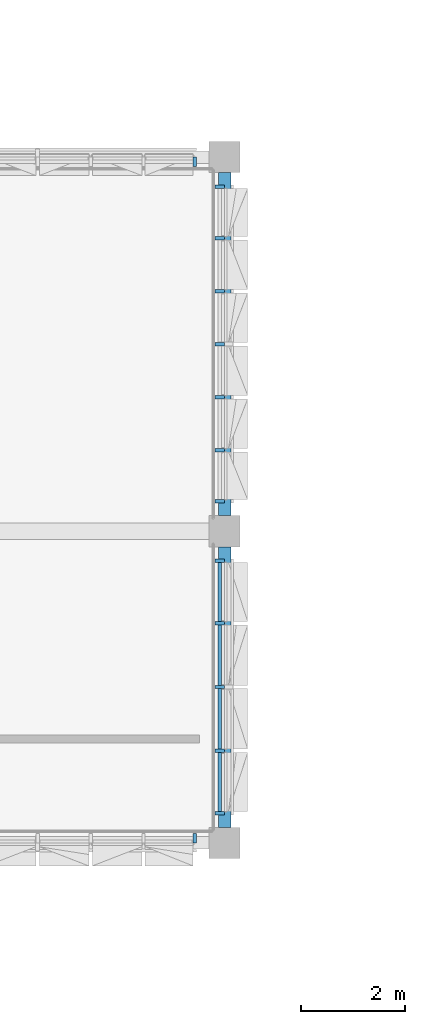
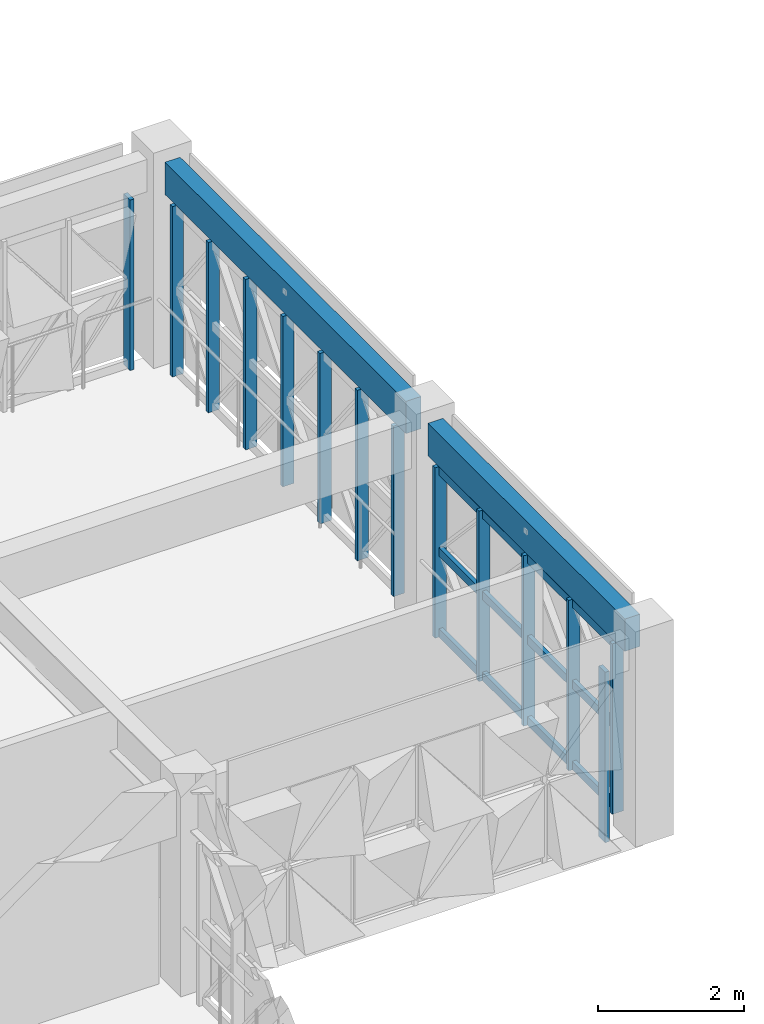
# One storey, part 16 of 85: 26 members, 2 beams, 4 elements without a shape of their own.
"""IFC4 building model written with IfcOpenShell, lengths in metres."""

from ifc_helpers import new_model, si_unit, direction, frame, origin, origin_2d, place, context, subcontext, project, spatial, rectangle, extrude, material, material_profile, profile_set, type_object, element, aggregate, save


model = new_model("IFC4")

# Units and contexts
model_context = context("Model", 3, precision=1e-05, world=origin(), true_north=direction((0.0, 1.0)))
body_context = subcontext(model_context, "Body", "Model", "MODEL_VIEW")
ifc_project = project(units=[si_unit("LENGTHUNIT", "METRE"), si_unit("AREAUNIT", "SQUARE_METRE"), si_unit("VOLUMEUNIT", "CUBIC_METRE"), si_unit("PLANEANGLEUNIT", "RADIAN"), si_unit("MASSUNIT", "GRAM", prefix="KILO")], contexts=[model_context])

# Site, building, storey
site_placement = place(None, origin())
site = spatial("IfcSite", under=ifc_project, at=site_placement, CompositionType="ELEMENT")
building_placement = place(site_placement, origin())
building = spatial("IfcBuilding", under=site, at=building_placement, Name="Alvorim Cloister Faculty of Sciences", CompositionType="ELEMENT")
storey_placement = place(building_placement, frame((0.0, 0.0, 8.550048828125)))
storey = spatial("IfcBuildingStorey", under=building, at=storey_placement, Name="L02", CompositionType="ELEMENT", Elevation=8.550048828125)

# Beams
ifc_material_1 = material(Name="Glulam GL28h", Category="wood")
ifc_material_profile_1 = material_profile(ifc_material_1, rectangle(XDim=0.239990234375, YDim=0.5400390625, at=origin_2d()), Name="GL28-SPD-240x540")
ifc_profile_set_1 = profile_set([ifc_material_profile_1], Name="Glulam GL28h")
beam_type = type_object("IfcBeamType", Name="BM-SPD-GL-240x540", PredefinedType="SPANDREL", material=ifc_profile_set_1)
beam_1_placement = place(storey_placement, frame((64.800048828125, 43.5, 3.119873046875), z_axis=(0.0, 1.0, 0.0), x_axis=(-1.0, 0.0, 0.0)))
element("IfcBeam", 1, at=beam_1_placement, inside=storey, type_object=beam_type, Name="L02 Primary Girder BM-1423", PredefinedType="SPANDREL", context=body_context, shape_type="SweptSolid", body=[
    extrude(rectangle(XDim=0.239990234375, YDim=0.5400390625, at=origin_2d()), origin(), (0.0, 0.0, 1.0), 5.39990234375),
])
beam_2_placement = place(storey_placement, frame((64.800048828125, 49.5, 3.119873046875), z_axis=(0.0, 1.0, 0.0), x_axis=(-1.0, 0.0, 0.0)))
element("IfcBeam", 2, at=beam_2_placement, inside=storey, type_object=beam_type, Name="L02 Primary Girder BM-1424", PredefinedType="SPANDREL", context=body_context, shape_type="SweptSolid", body=[
    extrude(rectangle(XDim=0.239990234375, YDim=0.5400390625, at=origin_2d()), origin(), (0.0, 0.0, 1.0), 6.60009765625),
])

# Curtain wall, member
ifc_material_2 = material(Name="Aluminium and Low-E Glass Curtain Wall", Category="aluminium")
curtain_wall_type_1 = type_object("IfcCurtainWallType", Name="CW-TRI-6120x2850", PredefinedType="USERDEFINED", material=ifc_material_2)
curtain_wall_1_placement = place(storey_placement, origin())
curtain_wall_1 = element("IfcCurtainWall", 3, at=curtain_wall_1_placement, inside=storey, type_object=curtain_wall_type_1, Name="L02 Diagonal Cassette Curtain Wall CW-0060", ObjectType="UNITISED CURTAIN WALL", PredefinedType="USERDEFINED")
ifc_material_3 = material(Name="Aluminium Alloy 6063-T6", Category="aluminium")
ifc_material_profile_2 = material_profile(ifc_material_3, rectangle(XDim=0.06494140625, YDim=0.179931640625, at=origin_2d()), Name="ALU-MUL-65x180")
ifc_profile_set_2 = profile_set([ifc_material_profile_2], Name="Aluminium Alloy 6063-T6")
member_type_1 = type_object("IfcMemberType", Name="CW-MUL-65x180", PredefinedType="MULLION", material=ifc_profile_set_2)
member_1_placement = place(storey_placement, frame((64.2275390625, 56.31005859375, 0.0), z_axis=(0.0, 0.0, 1.0), x_axis=(1.0, 0.0, 0.0)))
member_1 = element("IfcMember", 4, at=member_1_placement, type_object=member_type_1, Name="CW-0060 Mullion 7", PredefinedType="MULLION", context=body_context, shape_type="SweptSolid", body=[
    extrude(rectangle(XDim=0.06494140625, YDim=0.179931640625, at=origin_2d()), origin(), (0.0, 0.0, 1.0), 2.849853515625),
])
aggregate(curtain_wall_1, [member_1])

# Curtain wall, members
curtain_wall_2_placement = place(storey_placement, origin())
curtain_wall_2 = element("IfcCurtainWall", 5, at=curtain_wall_2_placement, inside=storey, type_object=curtain_wall_type_1, Name="L02 Diagonal Cassette Curtain Wall CW-0061", ObjectType="UNITISED CURTAIN WALL", PredefinedType="USERDEFINED")
member_2_placement = place(storey_placement, frame((64.7099609375, 49.7724609375, 0.0), z_axis=(0.0, 0.0, 1.0), x_axis=(0.0, 1.0, 0.0)))
member_2 = element("IfcMember", 6, at=member_2_placement, type_object=member_type_1, Name="CW-0061 Mullion 1", PredefinedType="MULLION", context=body_context, shape_type="SweptSolid", body=[
    extrude(rectangle(XDim=0.06494140625, YDim=0.179931640625, at=origin_2d()), origin(), (0.0, 0.0, 1.0), 2.849853515625),
])
member_3_placement = place(storey_placement, frame((64.7099609375, 50.760009765625, 0.0), z_axis=(0.0, 0.0, 1.0), x_axis=(0.0, 1.0, 0.0)))
member_3 = element("IfcMember", 7, at=member_3_placement, type_object=member_type_1, Name="CW-0061 Mullion 2", PredefinedType="MULLION", context=body_context, shape_type="SweptSolid", body=[
    extrude(rectangle(XDim=0.06494140625, YDim=0.179931640625, at=origin_2d()), origin(), (0.0, 0.0, 1.0), 2.849853515625),
])
member_4_placement = place(storey_placement, frame((64.7099609375, 51.780029296875, 0.0), z_axis=(0.0, 0.0, 1.0), x_axis=(0.0, 1.0, 0.0)))
member_4 = element("IfcMember", 8, at=member_4_placement, type_object=member_type_1, Name="CW-0061 Mullion 3", PredefinedType="MULLION", context=body_context, shape_type="SweptSolid", body=[
    extrude(rectangle(XDim=0.06494140625, YDim=0.179931640625, at=origin_2d()), origin(), (0.0, 0.0, 1.0), 2.849853515625),
])
member_5_placement = place(storey_placement, frame((64.7099609375, 52.800048828125, 0.0), z_axis=(0.0, 0.0, 1.0), x_axis=(0.0, 1.0, 0.0)))
member_5 = element("IfcMember", 9, at=member_5_placement, type_object=member_type_1, Name="CW-0061 Mullion 4", PredefinedType="MULLION", context=body_context, shape_type="SweptSolid", body=[
    extrude(rectangle(XDim=0.06494140625, YDim=0.179931640625, at=origin_2d()), origin(), (0.0, 0.0, 1.0), 2.849853515625),
])
member_6_placement = place(storey_placement, frame((64.7099609375, 53.820068359375, 0.0), z_axis=(0.0, 0.0, 1.0), x_axis=(0.0, 1.0, 0.0)))
member_6 = element("IfcMember", 10, at=member_6_placement, type_object=member_type_1, Name="CW-0061 Mullion 5", PredefinedType="MULLION", context=body_context, shape_type="SweptSolid", body=[
    extrude(rectangle(XDim=0.06494140625, YDim=0.179931640625, at=origin_2d()), origin(), (0.0, 0.0, 1.0), 2.849853515625),
])
member_7_placement = place(storey_placement, frame((64.7099609375, 54.840087890625, 0.0), z_axis=(0.0, 0.0, 1.0), x_axis=(0.0, 1.0, 0.0)))
member_7 = element("IfcMember", 11, at=member_7_placement, type_object=member_type_1, Name="CW-0061 Mullion 6", PredefinedType="MULLION", context=body_context, shape_type="SweptSolid", body=[
    extrude(rectangle(XDim=0.06494140625, YDim=0.179931640625, at=origin_2d()), origin(), (0.0, 0.0, 1.0), 2.849853515625),
])
member_8_placement = place(storey_placement, frame((64.7099609375, 55.827392578125, 0.0), z_axis=(0.0, 0.0, 1.0), x_axis=(0.0, 1.0, 0.0)))
member_8 = element("IfcMember", 12, at=member_8_placement, type_object=member_type_1, Name="CW-0061 Mullion 7", PredefinedType="MULLION", context=body_context, shape_type="SweptSolid", body=[
    extrude(rectangle(XDim=0.06494140625, YDim=0.179931640625, at=origin_2d()), origin(), (0.0, 0.0, 1.0), 2.849853515625),
])
aggregate(curtain_wall_2, [member_2, member_3, member_4, member_5, member_6, member_7, member_8])

curtain_wall_type_2 = type_object("IfcCurtainWallType", Name="CW-TRI-4920x2850", PredefinedType="USERDEFINED", material=ifc_material_2)
curtain_wall_3_placement = place(storey_placement, origin())
curtain_wall_3 = element("IfcCurtainWall", 13, at=curtain_wall_3_placement, inside=storey, type_object=curtain_wall_type_2, Name="L02 Diagonal Cassette Curtain Wall CW-0062", ObjectType="UNITISED CURTAIN WALL", PredefinedType="USERDEFINED")
member_9_placement = place(storey_placement, frame((64.7099609375, 43.7724609375, 0.0), z_axis=(0.0, 0.0, 1.0), x_axis=(0.0, 1.0, 0.0)))
member_9 = element("IfcMember", 14, at=member_9_placement, type_object=member_type_1, Name="CW-0062 Mullion 1", PredefinedType="MULLION", context=body_context, shape_type="SweptSolid", body=[
    extrude(rectangle(XDim=0.06494140625, YDim=0.179931640625, at=origin_2d()), origin(), (0.0, 0.0, 1.0), 2.849853515625),
])
member_10_placement = place(storey_placement, frame((64.7099609375, 44.969970703125, 0.0), z_axis=(0.0, 0.0, 1.0), x_axis=(0.0, 1.0, 0.0)))
member_10 = element("IfcMember", 15, at=member_10_placement, type_object=member_type_1, Name="CW-0062 Mullion 2", PredefinedType="MULLION", context=body_context, shape_type="SweptSolid", body=[
    extrude(rectangle(XDim=0.06494140625, YDim=0.179931640625, at=origin_2d()), origin(), (0.0, 0.0, 1.0), 2.849853515625),
])
member_11_placement = place(storey_placement, frame((64.7099609375, 46.199951171875, 0.0), z_axis=(0.0, 0.0, 1.0), x_axis=(0.0, 1.0, 0.0)))
member_11 = element("IfcMember", 16, at=member_11_placement, type_object=member_type_1, Name="CW-0062 Mullion 3", PredefinedType="MULLION", context=body_context, shape_type="SweptSolid", body=[
    extrude(rectangle(XDim=0.06494140625, YDim=0.179931640625, at=origin_2d()), origin(), (0.0, 0.0, 1.0), 2.849853515625),
])
member_12_placement = place(storey_placement, frame((64.7099609375, 47.429931640625, 0.0), z_axis=(0.0, 0.0, 1.0), x_axis=(0.0, 1.0, 0.0)))
member_12 = element("IfcMember", 17, at=member_12_placement, type_object=member_type_1, Name="CW-0062 Mullion 4", PredefinedType="MULLION", context=body_context, shape_type="SweptSolid", body=[
    extrude(rectangle(XDim=0.06494140625, YDim=0.179931640625, at=origin_2d()), origin(), (0.0, 0.0, 1.0), 2.849853515625),
])
member_13_placement = place(storey_placement, frame((64.7099609375, 48.62744140625, 0.0), z_axis=(0.0, 0.0, 1.0), x_axis=(0.0, 1.0, 0.0)))
member_13 = element("IfcMember", 18, at=member_13_placement, type_object=member_type_1, Name="CW-0062 Mullion 5", PredefinedType="MULLION", context=body_context, shape_type="SweptSolid", body=[
    extrude(rectangle(XDim=0.06494140625, YDim=0.179931640625, at=origin_2d()), origin(), (0.0, 0.0, 1.0), 2.849853515625),
])

# Curtain wall, member
curtain_wall_4_placement = place(storey_placement, origin())
curtain_wall_4 = element("IfcCurtainWall", 19, at=curtain_wall_4_placement, inside=storey, type_object=curtain_wall_type_1, Name="L02 Diagonal Cassette Curtain Wall CW-0063", ObjectType="UNITISED CURTAIN WALL", PredefinedType="USERDEFINED")
member_14_placement = place(storey_placement, frame((64.2275390625, 43.2900390625, 0.0), z_axis=(0.0, 0.0, 1.0), x_axis=(1.0, 0.0, 0.0)))
member_14 = element("IfcMember", 20, at=member_14_placement, type_object=member_type_1, Name="CW-0063 Mullion 7", PredefinedType="MULLION", context=body_context, shape_type="SweptSolid", body=[
    extrude(rectangle(XDim=0.06494140625, YDim=0.179931640625, at=origin_2d()), origin(), (0.0, 0.0, 1.0), 2.849853515625),
])
aggregate(curtain_wall_4, [member_14])

# Member
ifc_material_profile_3 = material_profile(ifc_material_3, rectangle(XDim=0.06494140625, YDim=0.139892578125, at=origin_2d()), Name="ALU-TRN-65x140")
ifc_profile_set_3 = profile_set([ifc_material_profile_3], Name="Aluminium Alloy 6063-T6")
member_type_2 = type_object("IfcMemberType", Name="CW-TRN-65x140", PredefinedType="USERDEFINED", material=ifc_profile_set_3)
member_15_placement = place(storey_placement, frame((64.7099609375, 43.804931640625, 0.070068359375), z_axis=(0.0, 1.0, 0.0), x_axis=(-1.0, 0.0, 0.0)))
member_15 = element("IfcMember", 21, at=member_15_placement, type_object=member_type_2, Name="CW-0062 Transom 1.1", ObjectType="TRANSOM", PredefinedType="USERDEFINED", context=body_context, shape_type="SweptSolid", body=[
    extrude(rectangle(XDim=0.06494140625, YDim=0.139892578125, at=origin_2d()), origin(), (0.0, 0.0, 1.0), 1.132568359375),
])

member_16_placement = place(storey_placement, frame((64.7099609375, 43.804931640625, 1.425048828125), z_axis=(0.0, 1.0, 0.0), x_axis=(-1.0, 0.0, 0.0)))
member_16 = element("IfcMember", 22, at=member_16_placement, type_object=member_type_2, Name="CW-0062 Transom 1.2", ObjectType="TRANSOM", PredefinedType="USERDEFINED", context=body_context, shape_type="SweptSolid", body=[
    extrude(rectangle(XDim=0.06494140625, YDim=0.139892578125, at=origin_2d()), origin(), (0.0, 0.0, 1.0), 1.132568359375),
])

member_17_placement = place(storey_placement, frame((64.7099609375, 43.804931640625, 2.780029296875), z_axis=(0.0, 1.0, 0.0), x_axis=(-1.0, 0.0, 0.0)))
member_17 = element("IfcMember", 23, at=member_17_placement, type_object=member_type_2, Name="CW-0062 Transom 1.3", ObjectType="TRANSOM", PredefinedType="USERDEFINED", context=body_context, shape_type="SweptSolid", body=[
    extrude(rectangle(XDim=0.06494140625, YDim=0.139892578125, at=origin_2d()), origin(), (0.0, 0.0, 1.0), 1.132568359375),
])

member_18_placement = place(storey_placement, frame((64.7099609375, 45.00244140625, 0.070068359375), z_axis=(0.0, 1.0, 0.0), x_axis=(-1.0, 0.0, 0.0)))
member_18 = element("IfcMember", 24, at=member_18_placement, type_object=member_type_2, Name="CW-0062 Transom 2.1", ObjectType="TRANSOM", PredefinedType="USERDEFINED", context=body_context, shape_type="SweptSolid", body=[
    extrude(rectangle(XDim=0.06494140625, YDim=0.139892578125, at=origin_2d()), origin(), (0.0, 0.0, 1.0), 1.1650390625),
])

member_19_placement = place(storey_placement, frame((64.7099609375, 45.00244140625, 1.425048828125), z_axis=(0.0, 1.0, 0.0), x_axis=(-1.0, 0.0, 0.0)))
member_19 = element("IfcMember", 25, at=member_19_placement, type_object=member_type_2, Name="CW-0062 Transom 2.2", ObjectType="TRANSOM", PredefinedType="USERDEFINED", context=body_context, shape_type="SweptSolid", body=[
    extrude(rectangle(XDim=0.06494140625, YDim=0.139892578125, at=origin_2d()), origin(), (0.0, 0.0, 1.0), 1.1650390625),
])

member_20_placement = place(storey_placement, frame((64.7099609375, 45.00244140625, 2.780029296875), z_axis=(0.0, 1.0, 0.0), x_axis=(-1.0, 0.0, 0.0)))
member_20 = element("IfcMember", 26, at=member_20_placement, type_object=member_type_2, Name="CW-0062 Transom 2.3", ObjectType="TRANSOM", PredefinedType="USERDEFINED", context=body_context, shape_type="SweptSolid", body=[
    extrude(rectangle(XDim=0.06494140625, YDim=0.139892578125, at=origin_2d()), origin(), (0.0, 0.0, 1.0), 1.1650390625),
])

member_21_placement = place(storey_placement, frame((64.7099609375, 46.232421875, 0.070068359375), z_axis=(0.0, 1.0, 0.0), x_axis=(-1.0, 0.0, 0.0)))
member_21 = element("IfcMember", 27, at=member_21_placement, type_object=member_type_2, Name="CW-0062 Transom 3.1", ObjectType="TRANSOM", PredefinedType="USERDEFINED", context=body_context, shape_type="SweptSolid", body=[
    extrude(rectangle(XDim=0.06494140625, YDim=0.139892578125, at=origin_2d()), origin(), (0.0, 0.0, 1.0), 1.1650390625),
])

member_22_placement = place(storey_placement, frame((64.7099609375, 46.232421875, 1.425048828125), z_axis=(0.0, 1.0, 0.0), x_axis=(-1.0, 0.0, 0.0)))
member_22 = element("IfcMember", 28, at=member_22_placement, type_object=member_type_2, Name="CW-0062 Transom 3.2", ObjectType="TRANSOM", PredefinedType="USERDEFINED", context=body_context, shape_type="SweptSolid", body=[
    extrude(rectangle(XDim=0.06494140625, YDim=0.139892578125, at=origin_2d()), origin(), (0.0, 0.0, 1.0), 1.1650390625),
])

member_23_placement = place(storey_placement, frame((64.7099609375, 46.232421875, 2.780029296875), z_axis=(0.0, 1.0, 0.0), x_axis=(-1.0, 0.0, 0.0)))
member_23 = element("IfcMember", 29, at=member_23_placement, type_object=member_type_2, Name="CW-0062 Transom 3.3", ObjectType="TRANSOM", PredefinedType="USERDEFINED", context=body_context, shape_type="SweptSolid", body=[
    extrude(rectangle(XDim=0.06494140625, YDim=0.139892578125, at=origin_2d()), origin(), (0.0, 0.0, 1.0), 1.1650390625),
])

member_24_placement = place(storey_placement, frame((64.7099609375, 47.46240234375, 0.070068359375), z_axis=(0.0, 1.0, 0.0), x_axis=(-1.0, 0.0, 0.0)))
member_24 = element("IfcMember", 30, at=member_24_placement, type_object=member_type_2, Name="CW-0062 Transom 4.1", ObjectType="TRANSOM", PredefinedType="USERDEFINED", context=body_context, shape_type="SweptSolid", body=[
    extrude(rectangle(XDim=0.06494140625, YDim=0.139892578125, at=origin_2d()), origin(), (0.0, 0.0, 1.0), 1.132568359375),
])

member_25_placement = place(storey_placement, frame((64.7099609375, 47.46240234375, 1.425048828125), z_axis=(0.0, 1.0, 0.0), x_axis=(-1.0, 0.0, 0.0)))
member_25 = element("IfcMember", 31, at=member_25_placement, type_object=member_type_2, Name="CW-0062 Transom 4.2", ObjectType="TRANSOM", PredefinedType="USERDEFINED", context=body_context, shape_type="SweptSolid", body=[
    extrude(rectangle(XDim=0.06494140625, YDim=0.139892578125, at=origin_2d()), origin(), (0.0, 0.0, 1.0), 1.132568359375),
])

member_26_placement = place(storey_placement, frame((64.7099609375, 47.46240234375, 2.780029296875), z_axis=(0.0, 1.0, 0.0), x_axis=(-1.0, 0.0, 0.0)))
member_26 = element("IfcMember", 32, at=member_26_placement, type_object=member_type_2, Name="CW-0062 Transom 4.3", ObjectType="TRANSOM", PredefinedType="USERDEFINED", context=body_context, shape_type="SweptSolid", body=[
    extrude(rectangle(XDim=0.06494140625, YDim=0.139892578125, at=origin_2d()), origin(), (0.0, 0.0, 1.0), 1.132568359375),
])

aggregate(curtain_wall_3, [member_9, member_10, member_11, member_12, member_13, member_15, member_16, member_17, member_18, member_19, member_20, member_21, member_22, member_23, member_24, member_25, member_26])

save(model, "model.ifc")
